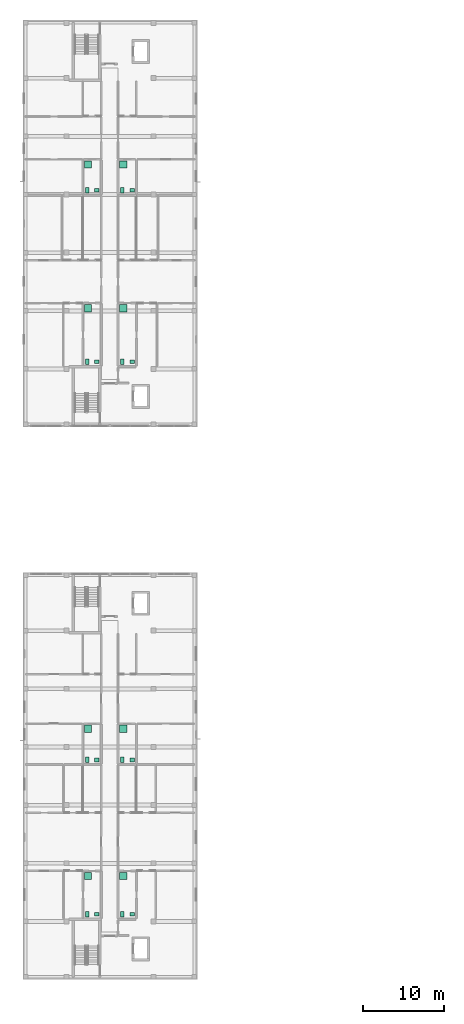
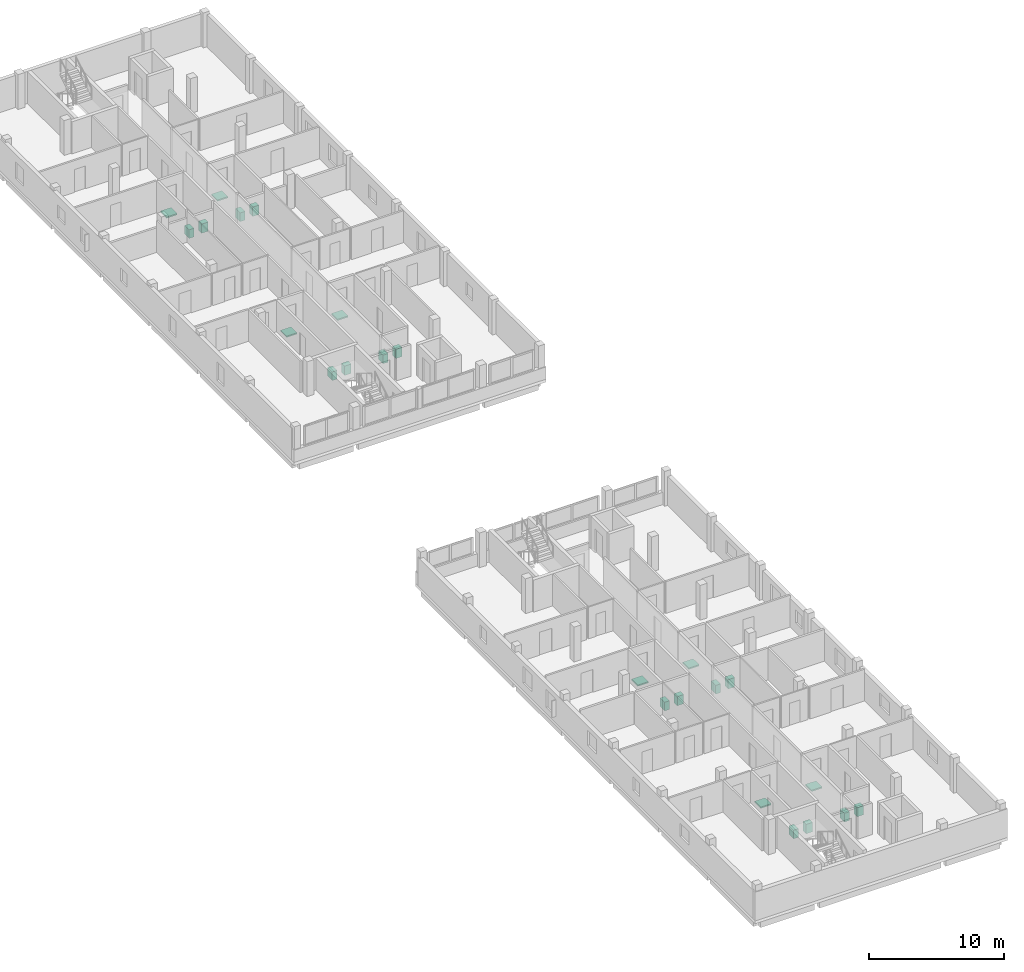
# One storey, part 37 of 38: 24 sanitary terminals.
"""IFC4 building model written with IfcOpenShell, lengths in metres."""

from ifc_helpers import new_model, si_unit, derived_unit, direction, frame, origin, origin_2d, place, context, subcontext, project, spatial, rectangle, extrude, material, type_object, element, save


model = new_model("IFC4")

# Units and contexts
model_context = context("Model", 3, precision=1e-05, world=origin(), true_north=direction((0.0, 1.0)))
body_context = subcontext(model_context, "Body", "Model", "MODEL_VIEW")
ifc_project = project(units=[si_unit("LENGTHUNIT", "METRE"), si_unit("AREAUNIT", "SQUARE_METRE"), si_unit("VOLUMEUNIT", "CUBIC_METRE"), si_unit("PLANEANGLEUNIT", "RADIAN"), si_unit("MASSUNIT", "GRAM", prefix="KILO"), derived_unit("THERMALTRANSMITTANCEUNIT", [(si_unit("MASSUNIT", "GRAM", prefix="KILO"), 1), (si_unit("TIMEUNIT", "SECOND"), -3), (si_unit("THERMODYNAMICTEMPERATUREUNIT", "KELVIN"), -1)])], contexts=[model_context])

# Site, building, storey
site_placement = place(None, origin())
site = spatial("IfcSite", under=ifc_project, at=site_placement, CompositionType="ELEMENT")
building_placement = place(site_placement, origin())
building = spatial("IfcBuilding", under=site, at=building_placement, Name="Ochrekiln Boulevard Commons", CompositionType="ELEMENT")
storey_placement = place(building_placement, frame((0.0, 0.0, 24.675048828125)))
storey = spatial("IfcBuildingStorey", under=building, at=storey_placement, Name="L07", CompositionType="ELEMENT", Elevation=24.675048828125)

# Sanitary terminals
ifc_material = material(Name="Vitreous china sanitaryware")
sanitary_terminal_type_1 = type_object("IfcSanitaryTerminalType", Name="SAN-BAS", PredefinedType="WASHHANDBASIN", material=ifc_material)
for number, where, z_axis, x_axis, name in (
    (1, (9.169921875, 76.5, 0.0), (0.0, 0.0, 1.0), (1.0, 0.0, 0.0), "L07 Washhand Basin Fixture"),
    (2, (9.169921875, 97.7099609375, 0.0), (0.0, 0.0, 1.0), (1.0, 0.0, 0.0), "L07 Washhand Basin Fixture"),
    (3, (13.530029296875, 76.5, 0.0), (0.0, 0.0, 1.0), (1.0, 0.0, 0.0), "L07 Washhand Basin Fixture"),
    (4, (13.530029296875, 97.7099609375, 0.0), (0.0, 0.0, 1.0), (1.0, 0.0, 0.0), "L07 Washhand Basin Fixture"),
    (5, (9.169921875, 8.10009765625, 0.0), (0.0, 0.0, 1.0), (1.0, 0.0, 0.0), "L07 Washhand Basin Fixture"),
    (6, (9.169921875, 27.197998046875, 0.0), (0.0, 0.0, 1.0), (1.0, 0.0, 0.0), "L07 Washhand Basin Fixture"),
    (7, (13.530029296875, 8.10009765625, 0.0), (0.0, 0.0, 1.0), (1.0, 0.0, 0.0), "L07 Washhand Basin Fixture"),
    (8, (13.530029296875, 27.197998046875, 0.0), (0.0, 0.0, 1.0), (1.0, 0.0, 0.0), "L07 Washhand Basin Fixture"),
):
    element("IfcSanitaryTerminal", number, at=place(storey_placement, frame(where, z_axis=z_axis, x_axis=x_axis)), inside=storey, type_object=sanitary_terminal_type_1, Name=name, PredefinedType="WASHHANDBASIN", context=body_context, shape_type="SweptSolid", body=[
        extrude(rectangle(XDim=0.550048828125, YDim=0.4599609375, at=origin_2d()), origin(), (0.0, 0.0, 1.0), 0.840087890625),
    ])
sanitary_terminal_type_2 = type_object("IfcSanitaryTerminalType", Name="SAN-SHW", PredefinedType="SHOWER", material=ifc_material)
for number, where, z_axis, x_axis, name in (
    (9, (8.070068359375, 83.1201171875, 0.0), (0.0, 0.0, 1.0), (1.0, 0.0, 0.0), "L07 Shower Receptor"),
    (10, (8.070068359375, 100.9169921875, 0.0), (0.0, 0.0, 1.0), (1.0, 0.0, 0.0), "L07 Shower Receptor"),
    (11, (12.429931640625, 83.1201171875, 0.0), (0.0, 0.0, 1.0), (1.0, 0.0, 0.0), "L07 Shower Receptor"),
    (12, (12.429931640625, 100.9169921875, 0.0), (0.0, 0.0, 1.0), (1.0, 0.0, 0.0), "L07 Shower Receptor"),
    (13, (8.070068359375, 12.8349609375, 0.0), (0.0, 0.0, 1.0), (1.0, 0.0, 0.0), "L07 Shower Receptor"),
    (14, (8.070068359375, 31.06005859375, 0.0), (0.0, 0.0, 1.0), (1.0, 0.0, 0.0), "L07 Shower Receptor"),
    (15, (12.429931640625, 12.8349609375, 0.0), (0.0, 0.0, 1.0), (1.0, 0.0, 0.0), "L07 Shower Receptor"),
    (16, (12.429931640625, 31.06005859375, 0.0), (0.0, 0.0, 1.0), (1.0, 0.0, 0.0), "L07 Shower Receptor"),
):
    element("IfcSanitaryTerminal", number, at=place(storey_placement, frame(where, z_axis=z_axis, x_axis=x_axis)), inside=storey, type_object=sanitary_terminal_type_2, Name=name, PredefinedType="SHOWER", context=body_context, shape_type="SweptSolid", body=[
        extrude(rectangle(XDim=0.89990234375, YDim=0.89990234375, at=origin_2d()), origin(), (0.0, 0.0, 1.0), 0.1201171875),
    ])
sanitary_terminal_type_3 = type_object("IfcSanitaryTerminalType", Name="SAN-WC", PredefinedType="TOILETPAN", material=ifc_material)
for number, where, z_axis, x_axis, name in (
    (17, (7.969970703125, 76.5, 0.0), (0.0, 0.0, 1.0), (1.0, 0.0, 0.0), "L07 Water Closet Fixture"),
    (18, (7.969970703125, 97.7099609375, 0.0), (0.0, 0.0, 1.0), (1.0, 0.0, 0.0), "L07 Water Closet Fixture"),
    (19, (12.330078125, 76.5, 0.0), (0.0, 0.0, 1.0), (1.0, 0.0, 0.0), "L07 Water Closet Fixture"),
    (20, (12.330078125, 97.7099609375, 0.0), (0.0, 0.0, 1.0), (1.0, 0.0, 0.0), "L07 Water Closet Fixture"),
    (21, (7.969970703125, 8.10009765625, 0.0), (0.0, 0.0, 1.0), (1.0, 0.0, 0.0), "L07 Water Closet Fixture"),
    (22, (7.969970703125, 27.197998046875, 0.0), (0.0, 0.0, 1.0), (1.0, 0.0, 0.0), "L07 Water Closet Fixture"),
    (23, (12.330078125, 8.10009765625, 0.0), (0.0, 0.0, 1.0), (1.0, 0.0, 0.0), "L07 Water Closet Fixture"),
    (24, (12.330078125, 27.197998046875, 0.0), (0.0, 0.0, 1.0), (1.0, 0.0, 0.0), "L07 Water Closet Fixture"),
):
    element("IfcSanitaryTerminal", number, at=place(storey_placement, frame(where, z_axis=z_axis, x_axis=x_axis)), inside=storey, type_object=sanitary_terminal_type_3, Name=name, PredefinedType="TOILETPAN", context=body_context, shape_type="SweptSolid", body=[
        extrude(rectangle(XDim=0.419921875, YDim=0.679931640625, at=origin_2d()), origin(), (0.0, 0.0, 1.0), 0.780029296875),
    ])

save(model, "model.ifc")
